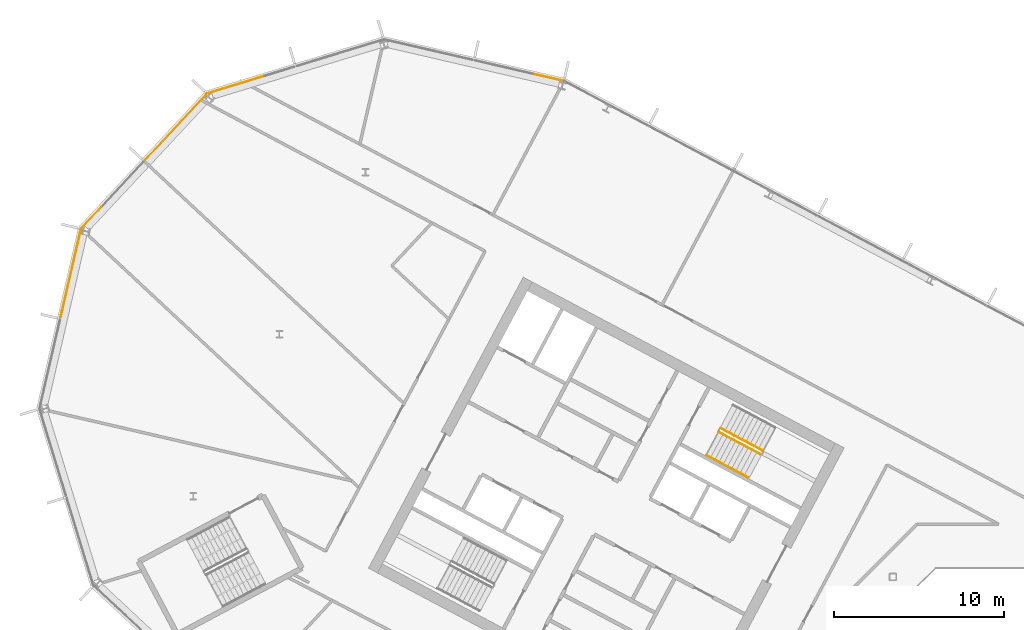
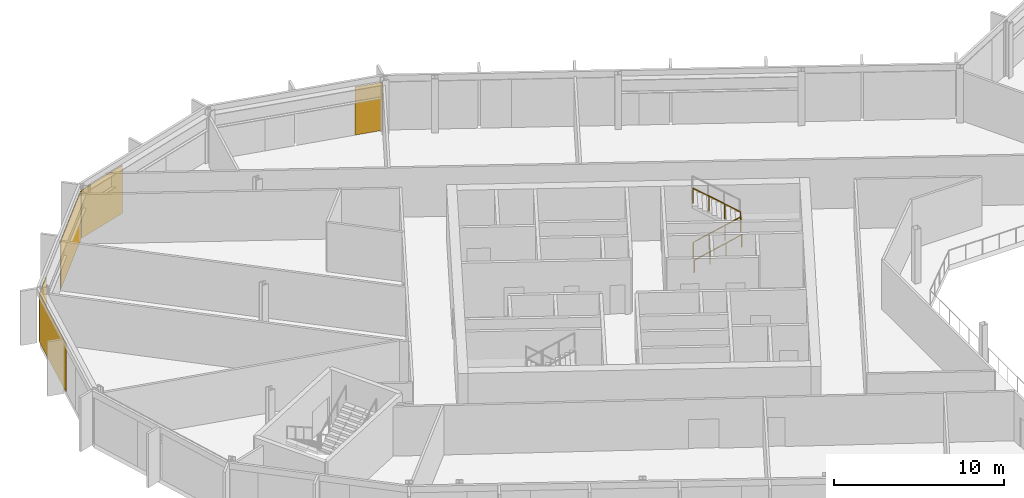
# One storey, part 21 of 26: 5 coverings, 3 railings, 4 elements without a shape of their own.
"""IFC4 building model written with IfcOpenShell, lengths in metres."""

from ifc_helpers import new_model, si_unit, direction, frame, origin, origin_2d, place, context, subcontext, project, spatial, polyline, rectangle, outline, extrude, material, layer, layer_set, type_object, element, aggregate, save


model = new_model("IFC4")

# Units and contexts
model_context = context("Model", 3, precision=1e-05, world=origin(), true_north=direction((0.0, 1.0)))
body_context = subcontext(model_context, "Body", "Model", "MODEL_VIEW")
ifc_project = project(units=[si_unit("LENGTHUNIT", "METRE"), si_unit("AREAUNIT", "SQUARE_METRE"), si_unit("VOLUMEUNIT", "CUBIC_METRE"), si_unit("PLANEANGLEUNIT", "RADIAN"), si_unit("MASSUNIT", "GRAM", prefix="KILO")], contexts=[model_context])

# Site, building, storey
site_placement = place(None, origin())
site = spatial("IfcSite", under=ifc_project, at=site_placement, CompositionType="ELEMENT")
building_placement = place(site_placement, origin())
building = spatial("IfcBuilding", under=site, at=building_placement, Name="Cormorant Relay Tower", CompositionType="ELEMENT")
storey_placement = place(building_placement, frame((0.0, 0.0, 220.800048828125)))
storey = spatial("IfcBuildingStorey", under=building, at=storey_placement, Name="L48", CompositionType="ELEMENT", Elevation=220.800048828125)

# Curtain wall, covering
ifc_material_1 = material(Name="Aluminium 6063-T6 anodised bronze", Category="aluminium")
ifc_layer_1 = layer(ifc_material_1, 0.199951171875)
ifc_layer_set_1 = layer_set([ifc_layer_1], Name="CW1 unitised bronze curtain wall with vertical fins")
curtain_wall_type = type_object("IfcCurtainWallType", Name="CW1 unitised bronze curtain wall with vertical fins", PredefinedType="NOTDEFINED", material=ifc_layer_set_1)
curtain_wall_1_placement = place(storey_placement, origin())
curtain_wall_1 = element("IfcCurtainWall", 1, at=curtain_wall_1_placement, inside=storey, type_object=curtain_wall_type, Name="CW1 curtain wall 10", PredefinedType="NOTDEFINED")
ifc_material_2 = material(Name="Pale bronze anodised aluminium insulated panel", Category="aluminium")
ifc_layer_2 = layer(ifc_material_2, 0.0400390625)
ifc_layer_set_2 = layer_set([ifc_layer_2], Name="CW1 pale bronze insulated panel 40")
covering_type = type_object("IfcCoveringType", Name="CW1 pale bronze insulated panel 40", PredefinedType="CLADDING", material=ifc_layer_set_2)
covering_1_placement = place(storey_placement, frame((-30.76318359375, 39.89404296875, 0.0), z_axis=(0.0, 0.0, 1.0), x_axis=(-0.974370064785, 0.224951054344, 0.0)))
covering_1 = element("IfcCovering", 2, at=covering_1_placement, type_object=covering_type, Name="CW1 panel S00", PredefinedType="CLADDING", context=body_context, shape_type="SweptSolid", body=[
    extrude(rectangle(XDim=1.685302734375, YDim=0.0400390625, at=origin_2d()), origin(), (0.0, 0.0, 1.0), 3.449951171875),
])
aggregate(curtain_wall_1, [covering_1])

curtain_wall_2_placement = place(storey_placement, origin())
curtain_wall_2 = element("IfcCurtainWall", 3, at=curtain_wall_2_placement, inside=storey, type_object=curtain_wall_type, Name="CW1 curtain wall 11", PredefinedType="NOTDEFINED")
covering_2_placement = place(storey_placement, frame((-49.16455078125, 39.474853515625, 0.0), z_axis=(0.0, 0.0, 1.0), x_axis=(-0.956304755963, -0.292371704723, 0.0)))
covering_2 = element("IfcCovering", 4, at=covering_2_placement, type_object=covering_type, Name="CW1 panel S03", PredefinedType="CLADDING", context=body_context, shape_type="SweptSolid", body=[
    extrude(rectangle(XDim=3.560302734375, YDim=0.0400390625, at=origin_2d()), origin(), (0.0, 0.0, 1.0), 3.449951171875),
])
aggregate(curtain_wall_2, [covering_2])

# Curtain wall, coverings
curtain_wall_3_placement = place(storey_placement, origin())
curtain_wall_3 = element("IfcCurtainWall", 5, at=curtain_wall_3_placement, inside=storey, type_object=curtain_wall_type, Name="CW1 curtain wall 12", PredefinedType="NOTDEFINED")
covering_3_placement = place(storey_placement, frame((-52.72900390625, 36.961181640625, 0.0), z_axis=(0.0, 0.0, 1.0), x_axis=(-0.681998360062, -0.731353701619, 0.0)))
covering_3 = element("IfcCovering", 6, at=covering_3_placement, type_object=covering_type, Name="CW1 panel S00", PredefinedType="CLADDING", context=body_context, shape_type="SweptSolid", body=[
    extrude(rectangle(XDim=5.28515625, YDim=0.0400390625, at=origin_2d()), origin(), (0.0, 0.0, 1.0), 3.449951171875),
])
covering_4_placement = place(storey_placement, frame((-57.68896484375, 31.642333984375, 0.0), z_axis=(0.0, 0.0, 1.0), x_axis=(-0.681998360062, -0.731353701619, 0.0)))
covering_4 = element("IfcCovering", 7, at=covering_4_placement, type_object=covering_type, Name="CW1 panel S02", PredefinedType="CLADDING", context=body_context, shape_type="SweptSolid", body=[
    extrude(rectangle(XDim=1.76025390625, YDim=0.0400390625, at=origin_2d()), origin(), (0.0, 0.0, 1.0), 3.449951171875),
])
aggregate(curtain_wall_3, [covering_3, covering_4])

# Curtain wall, covering
curtain_wall_4_placement = place(storey_placement, origin())
curtain_wall_4 = element("IfcCurtainWall", 8, at=curtain_wall_4_placement, inside=storey, type_object=curtain_wall_type, Name="CW1 curtain wall 13", PredefinedType="NOTDEFINED")
covering_5_placement = place(storey_placement, frame((-58.905517578125, 28.341796875, 0.0), z_axis=(0.0, 0.0, 1.0), x_axis=(-0.224951054344, -0.974370064785, 0.0)))
covering_5 = element("IfcCovering", 9, at=covering_5_placement, type_object=covering_type, Name="CW1 panel S00", PredefinedType="CLADDING", context=body_context, shape_type="SweptSolid", body=[
    extrude(rectangle(XDim=5.28515625, YDim=0.0400390625, at=origin_2d()), origin(), (0.0, 0.0, 1.0), 3.449951171875),
])
aggregate(curtain_wall_4, [covering_5])

# Railings
ifc_material_3 = material(Name="Steel ASTM A572 Grade 50 (Fy 345 MPa)", Category="steel")
railing_type_1 = type_object("IfcRailingType", Name="Stair guard 1100", PredefinedType="GUARDRAIL", material=ifc_material_3)
railing_1_placement = place(storey_placement, frame((-20.75048828125, 19.017822265625, 0.17724609375)))
element("IfcRailing", 10, at=railing_1_placement, inside=storey, type_object=railing_type_1, Name="L48 A1 stair guard 1", PredefinedType="GUARDRAIL", context=body_context, shape_type="SweptSolid", body=[
    extrude(outline(polyline([(0.022216796875, 0.00927734375), (0.00927734375, 0.022216796875), (-0.00927734375, 0.022216796875), (-0.022216796875, 0.00927734375), (-0.022216796875, -0.00927734375), (-0.00927734375, -0.022216796875), (0.00927734375, -0.022216796875), (0.022216796875, -0.00927734375), (0.022216796875, 0.00927734375)])), frame((0.0, 0.0, 1.076171875), z_axis=(0.746001213114, -0.396649272309, 0.534931345884), x_axis=(0.469465464807, 0.882950835185, 0.0)), (0.0, 0.0, 1.0), 3.31396484375),
    extrude(outline(polyline([(0.019287109375, 0.008056640625), (0.008056640625, 0.019287109375), (-0.008056640625, 0.019287109375), (-0.019287109375, 0.008056640625), (-0.019287109375, -0.008056640625), (-0.008056640625, -0.019287109375), (0.008056640625, -0.019287109375), (0.019287109375, -0.008056640625), (0.019287109375, 0.008056640625)])), origin(), (0.0, 0.0, 1.0), 1.052001953125),
    extrude(outline(polyline([(0.019287109375, 0.008056640625), (0.008056640625, 0.019287109375), (-0.008056640625, 0.019287109375), (-0.019287109375, 0.008056640625), (-0.019287109375, -0.008056640625), (-0.008056640625, -0.019287109375), (0.008056640625, -0.019287109375), (0.019287109375, -0.008056640625), (0.019287109375, 0.008056640625)])), frame((0.823974609375, -0.438232421875, 0.5908203125)), (0.0, 0.0, 1.0), 1.052001953125),
    extrude(outline(polyline([(0.019287109375, 0.008056640625), (0.008056640625, 0.019287109375), (-0.008056640625, 0.019287109375), (-0.019287109375, 0.008056640625), (-0.019287109375, -0.008056640625), (-0.008056640625, -0.019287109375), (0.008056640625, -0.019287109375), (0.019287109375, -0.008056640625), (0.019287109375, 0.008056640625)])), frame((1.648193359375, -0.876220703125, 1.181884765625)), (0.0, 0.0, 1.0), 1.052001953125),
    extrude(outline(polyline([(0.019287109375, 0.008056640625), (0.008056640625, 0.019287109375), (-0.008056640625, 0.019287109375), (-0.019287109375, 0.008056640625), (-0.019287109375, -0.008056640625), (-0.008056640625, -0.019287109375), (0.008056640625, -0.019287109375), (0.019287109375, -0.008056640625), (0.019287109375, 0.008056640625)])), frame((2.47216796875, -1.314453125, 1.772705078125)), (0.0, 0.0, 1.0), 1.052001953125),
])
railing_2_placement = place(storey_placement, frame((-18.160888671875, 17.924072265625, 2.127197265625)))
element("IfcRailing", 11, at=railing_2_placement, inside=storey, type_object=railing_type_1, Name="L48 A1 stair guard 3", PredefinedType="GUARDRAIL", context=body_context, shape_type="SweptSolid", body=[
    extrude(outline(polyline([(0.022216796875, 0.00927734375), (0.00927734375, 0.022216796875), (-0.00927734375, 0.022216796875), (-0.022216796875, 0.00927734375), (-0.022216796875, -0.00927734375), (-0.00927734375, -0.022216796875), (0.00927734375, -0.022216796875), (0.022216796875, -0.00927734375), (0.022216796875, 0.00927734375)])), frame((0.0, 0.0, 1.076171875), z_axis=(-0.746033882577, 0.396627473466, 0.534901947407), x_axis=(-0.469429322983, -0.882970050864, 0.0)), (0.0, 0.0, 1.0), 3.31396484375),
    extrude(outline(polyline([(0.019287109375, 0.008056640625), (0.008056640625, 0.019287109375), (-0.008056640625, 0.019287109375), (-0.019287109375, 0.008056640625), (-0.019287109375, -0.008056640625), (-0.008056640625, -0.019287109375), (0.008056640625, -0.019287109375), (0.019287109375, -0.008056640625), (0.019287109375, 0.008056640625)])), origin(), (0.0, 0.0, 1.0), 1.052001953125),
    extrude(outline(polyline([(0.019287109375, 0.008056640625), (0.008056640625, 0.019287109375), (-0.008056640625, 0.019287109375), (-0.019287109375, 0.008056640625), (-0.019287109375, -0.008056640625), (-0.008056640625, -0.019287109375), (0.008056640625, -0.019287109375), (0.019287109375, -0.008056640625), (0.019287109375, 0.008056640625)])), frame((-0.82421875, 0.438232421875, 0.5908203125)), (0.0, 0.0, 1.0), 1.052001953125),
    extrude(outline(polyline([(0.019287109375, 0.008056640625), (0.008056640625, 0.019287109375), (-0.008056640625, 0.019287109375), (-0.019287109375, 0.008056640625), (-0.019287109375, -0.008056640625), (-0.008056640625, -0.019287109375), (0.008056640625, -0.019287109375), (0.019287109375, -0.008056640625), (0.019287109375, 0.008056640625)])), frame((-1.648193359375, 0.876220703125, 1.181884765625)), (0.0, 0.0, 1.0), 1.052001953125),
    extrude(outline(polyline([(0.019287109375, 0.008056640625), (0.008056640625, 0.019287109375), (-0.008056640625, 0.019287109375), (-0.019287109375, 0.008056640625), (-0.019287109375, -0.008056640625), (-0.008056640625, -0.019287109375), (0.008056640625, -0.019287109375), (0.019287109375, -0.008056640625), (0.019287109375, 0.008056640625)])), frame((-2.472412109375, 1.314453125, 1.772705078125)), (0.0, 0.0, 1.0), 1.052001953125),
])
ifc_material_4 = material(Name="Steel ASTM A572 Grade 50 (Fy 345 MPa)", Category="steel")
railing_type_2 = type_object("IfcRailingType", Name="Stair handrail 900", PredefinedType="HANDRAIL", material=ifc_material_4)
railing_3_placement = place(storey_placement, frame((-21.478271484375, 17.6494140625, 0.17724609375)))
element("IfcRailing", 12, at=railing_3_placement, inside=storey, type_object=railing_type_2, Name="L48 A1 stair handrail 1", PredefinedType="HANDRAIL", context=body_context, shape_type="SweptSolid", body=[
    extrude(outline(polyline([(0.022216796875, 0.00927734375), (0.00927734375, 0.022216796875), (-0.00927734375, 0.022216796875), (-0.022216796875, 0.00927734375), (-0.022216796875, -0.00927734375), (-0.00927734375, -0.022216796875), (0.00927734375, -0.022216796875), (0.022216796875, -0.00927734375), (0.022216796875, 0.00927734375)])), frame((0.0, 0.0, 0.8759765625), z_axis=(0.746012083385, -0.396689549623, 0.534886317514), x_axis=(0.469497295046, 0.882933910293, 0.0)), (0.0, 0.0, 1.0), 3.314208984375),
    extrude(outline(polyline([(0.019287109375, 0.008056640625), (0.008056640625, 0.019287109375), (-0.008056640625, 0.019287109375), (-0.019287109375, 0.008056640625), (-0.019287109375, -0.008056640625), (-0.008056640625, -0.019287109375), (0.008056640625, -0.019287109375), (0.019287109375, -0.008056640625), (0.019287109375, 0.008056640625)])), origin(), (0.0, 0.0, 1.0), 0.851806640625),
    extrude(outline(polyline([(0.019287109375, 0.008056640625), (0.008056640625, 0.019287109375), (-0.008056640625, 0.019287109375), (-0.019287109375, 0.008056640625), (-0.019287109375, -0.008056640625), (-0.008056640625, -0.019287109375), (0.008056640625, -0.019287109375), (0.019287109375, -0.008056640625), (0.019287109375, 0.008056640625)])), frame((0.82421875, -0.438232421875, 0.5908203125)), (0.0, 0.0, 1.0), 0.851806640625),
    extrude(outline(polyline([(0.019287109375, 0.008056640625), (0.008056640625, 0.019287109375), (-0.008056640625, 0.019287109375), (-0.019287109375, 0.008056640625), (-0.019287109375, -0.008056640625), (-0.008056640625, -0.019287109375), (0.008056640625, -0.019287109375), (0.019287109375, -0.008056640625), (0.019287109375, 0.008056640625)])), frame((1.648193359375, -0.87646484375, 1.181884765625)), (0.0, 0.0, 1.0), 0.851806640625),
    extrude(outline(polyline([(0.019287109375, 0.008056640625), (0.008056640625, 0.019287109375), (-0.008056640625, 0.019287109375), (-0.019287109375, 0.008056640625), (-0.019287109375, -0.008056640625), (-0.008056640625, -0.019287109375), (0.008056640625, -0.019287109375), (0.019287109375, -0.008056640625), (0.019287109375, 0.008056640625)])), frame((2.472412109375, -1.314697265625, 1.772705078125)), (0.0, 0.0, 1.0), 0.851806640625),
])

save(model, "model.ifc")
